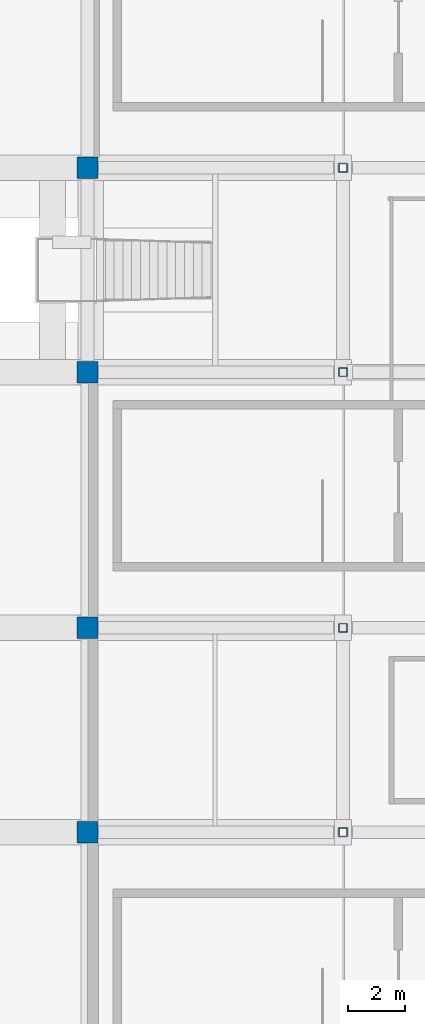
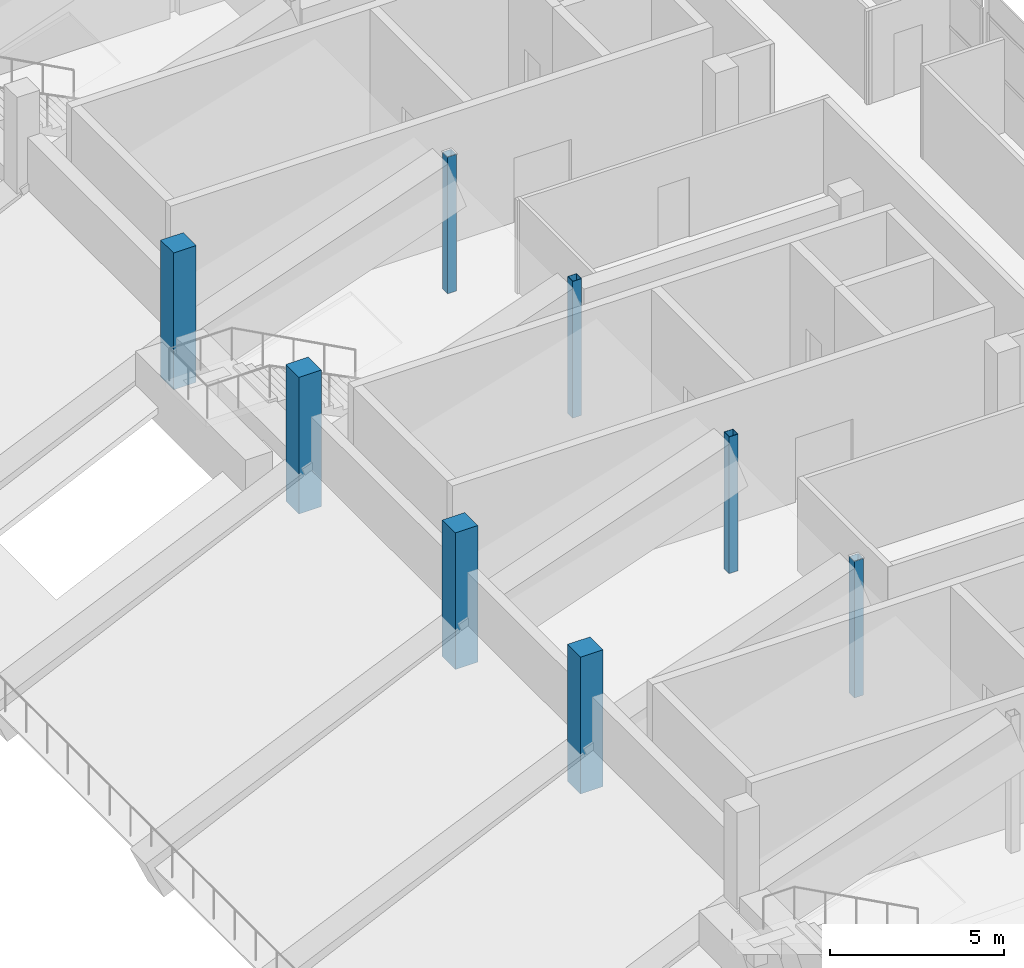
# One storey, part 11 of 66: 8 columns.
"""IFC4 building model written with IfcOpenShell, lengths in metres."""

from ifc_helpers import new_model, si_unit, direction, frame, origin, origin_2d, place, context, subcontext, project, spatial, rectangle, hollow_rectangle, extrude, material, material_profile, profile_set, type_object, element, save


model = new_model("IFC4")

# Units and contexts
model_context = context("Model", 3, precision=1e-05, world=origin(), true_north=direction((0.0, 1.0)))
body_context = subcontext(model_context, "Body", "Model", "MODEL_VIEW")
ifc_project = project(units=[si_unit("LENGTHUNIT", "METRE"), si_unit("AREAUNIT", "SQUARE_METRE"), si_unit("VOLUMEUNIT", "CUBIC_METRE"), si_unit("PLANEANGLEUNIT", "RADIAN"), si_unit("MASSUNIT", "GRAM", prefix="KILO"), si_unit("THERMODYNAMICTEMPERATUREUNIT", "KELVIN"), si_unit("POWERUNIT", "WATT")], contexts=[model_context])

# Site, building, storey
site_placement = place(None, origin())
site = spatial("IfcSite", under=ifc_project, at=site_placement, CompositionType="ELEMENT")
building_placement = place(site_placement, origin())
building = spatial("IfcBuilding", under=site, at=building_placement, Name="Sindhuravela Promenade Stadium", CompositionType="ELEMENT")
storey_placement = place(building_placement, frame((0.0, 0.0, 19.199951171875)))
storey = spatial("IfcBuildingStorey", under=building, at=storey_placement, Name="L04", CompositionType="ELEMENT", Elevation=19.199951171875)

# Columns
ifc_material_1 = material(Name="Concrete M40", Category="concrete")
ifc_material_profile_1 = material_profile(ifc_material_1, rectangle(XDim=0.75, YDim=0.75, at=origin_2d()), Name="RC 750x750")
ifc_profile_set_1 = profile_set([ifc_material_profile_1], Name="Concrete M40")
column_type_1 = type_object("IfcColumnType", Name="RC-CL-750x750", PredefinedType="COLUMN", material=ifc_profile_set_1)
for number, where, z_axis, x_axis, name in (
    (1, (180.0, 77.39990234375, 0.0), (0.0, 0.0, 1.0), (1.0, 0.0, 0.0), "Column C12 EAST L04"),
    (2, (180.0, 84.60009765625, 0.0), (0.0, 0.0, 1.0), (1.0, 0.0, 0.0), "Column C12 EAST L04"),
    (3, (180.0, 93.60009765625, 0.0), (0.0, 0.0, 1.0), (1.0, 0.0, 0.0), "Column C12 EAST L04"),
    (4, (180.0, 100.800048828125, 0.0), (0.0, 0.0, 1.0), (1.0, 0.0, 0.0), "Column C12 EAST L04"),
):
    element("IfcColumn", number, at=place(storey_placement, frame(where, z_axis=z_axis, x_axis=x_axis)), inside=storey, type_object=column_type_1, Name=name, PredefinedType="COLUMN", context=body_context, shape_type="SweptSolid", body=[
        extrude(rectangle(XDim=0.75, YDim=0.75, at=origin_2d()), origin(), (0.0, 0.0, 1.0), 4.800048828125),
    ])
ifc_material_2 = material(Name="Steel E350 (IS 2062 E350BR)", Category="steel")
ifc_material_profile_2 = material_profile(ifc_material_2, hollow_rectangle(XDim=0.300048828125, YDim=0.300048828125, WallThickness=0.011962890625, at=origin_2d()), Name="SHS 300x300x12")
ifc_profile_set_2 = profile_set([ifc_material_profile_2], Name="Steel E350 (IS 2062 E350BR)")
column_type_2 = type_object("IfcColumnType", Name="ST-CL-SHS300", PredefinedType="COLUMN", material=ifc_profile_set_2)
for number, where, z_axis, x_axis, name in (
    (5, (189.0, 77.39990234375, 0.0), (0.0, 0.0, 1.0), (1.0, 0.0, 0.0), "Column SC04 EAST L04"),
    (6, (189.0, 84.60009765625, 0.0), (0.0, 0.0, 1.0), (1.0, 0.0, 0.0), "Column SC04 EAST L04"),
    (7, (189.0, 93.60009765625, 0.0), (0.0, 0.0, 1.0), (1.0, 0.0, 0.0), "Column SC04 EAST L04"),
    (8, (189.0, 100.800048828125, 0.0), (0.0, 0.0, 1.0), (1.0, 0.0, 0.0), "Column SC04 EAST L04"),
):
    element("IfcColumn", number, at=place(storey_placement, frame(where, z_axis=z_axis, x_axis=x_axis)), inside=storey, type_object=column_type_2, Name=name, PredefinedType="COLUMN", context=body_context, shape_type="SweptSolid", body=[
        extrude(hollow_rectangle(XDim=0.300048828125, YDim=0.300048828125, WallThickness=0.011962890625, at=origin_2d()), origin(), (0.0, 0.0, 1.0), 4.800048828125),
    ])

save(model, "model.ifc")
